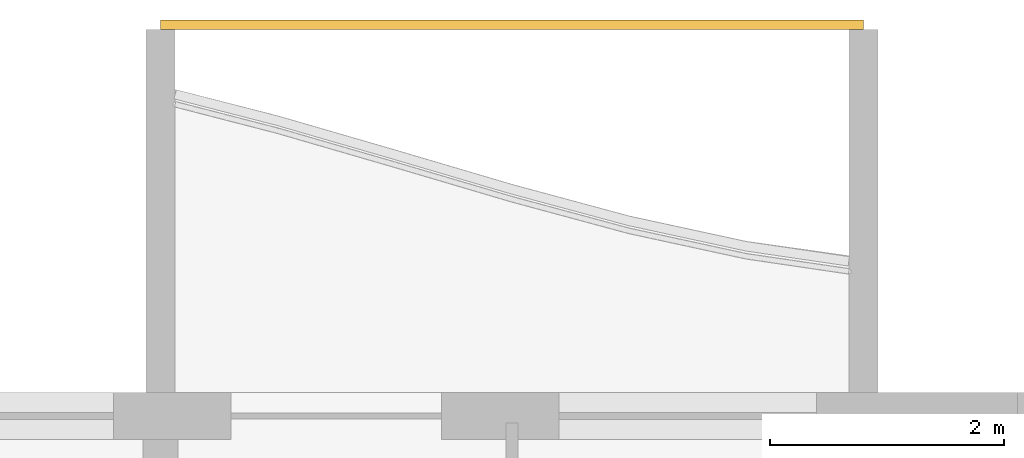
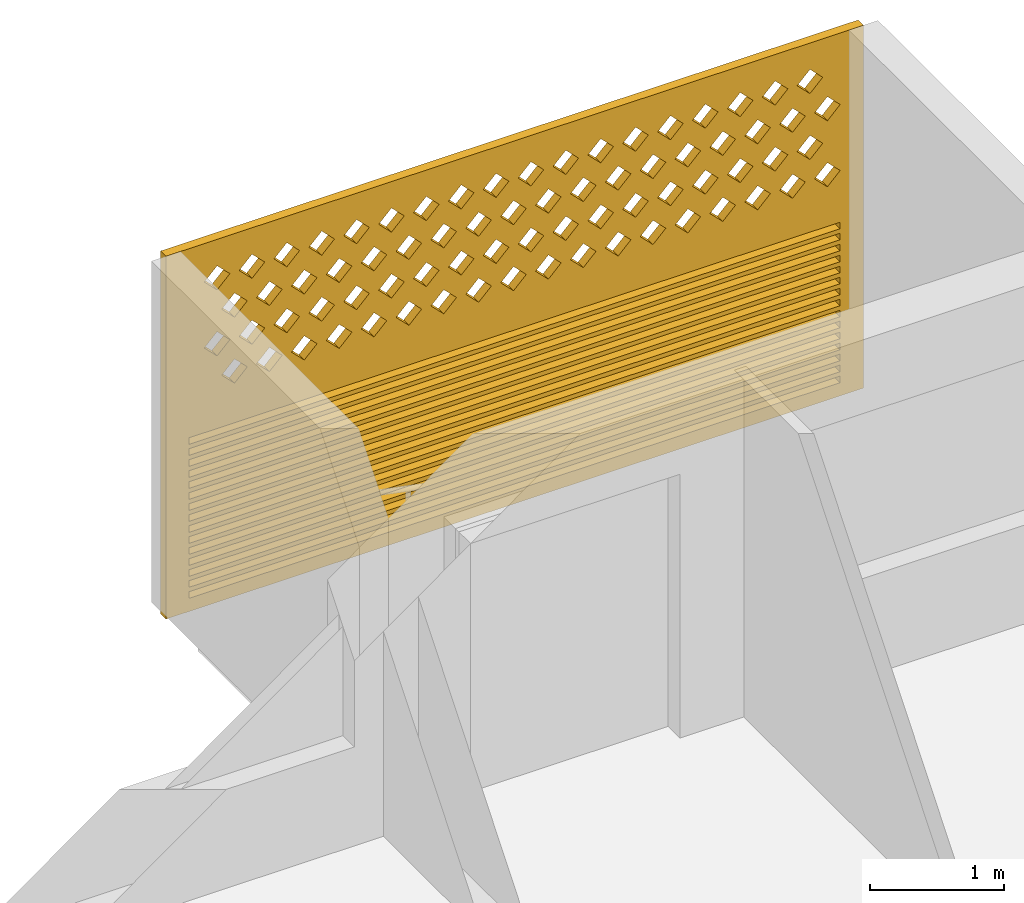
# One storey, part 32 of 32: 1 covering.
"""IFC4 building model written with IfcOpenShell, lengths in metres."""

from ifc_helpers import new_model, si_unit, direction, frame, origin, place, context, subcontext, project, spatial, polyline, outline, extrude, source, transform, mapped, material, material_profile, profile_set, type_object, element, save


model = new_model("IFC4")

# Units and contexts
model_context = context("Model", 3, precision=1e-05, world=origin(), true_north=direction((0.0, 1.0)))
body_context = subcontext(model_context, "Body", "Model", "MODEL_VIEW")
ifc_project = project(units=[si_unit("LENGTHUNIT", "METRE"), si_unit("AREAUNIT", "SQUARE_METRE"), si_unit("VOLUMEUNIT", "CUBIC_METRE"), si_unit("PLANEANGLEUNIT", "RADIAN"), si_unit("MASSUNIT", "GRAM", prefix="KILO")], contexts=[model_context])

# Site, building, storey
site_placement = place(None, origin())
site = spatial("IfcSite", under=ifc_project, at=site_placement, CompositionType="ELEMENT")
building_placement = place(site_placement, origin())
building = spatial("IfcBuilding", under=site, at=building_placement, Name="Poui Terraces", CompositionType="ELEMENT")
storey_placement = place(building_placement, frame((0.0, 0.0, 129.0)))
storey = spatial("IfcBuildingStorey", under=building, at=storey_placement, Name="L35", CompositionType="ELEMENT", Elevation=129.0)

# Covering
ifc_material = material(Name="Terracotta screen", Category="masonry")
ifc_material_profile = material_profile(ifc_material, outline(polyline([(-3.0, -1.64990234375), (3.0, -1.64990234375), (3.0, 1.64990234375), (-3.0, 1.64990234375), (-3.0, -1.64990234375)]), holes=[polyline([(-2.800048828125, 0.39990234375), (-2.68994140625, 0.2900390625), (-2.580078125, 0.39990234375), (-2.68994140625, 0.510009765625), (-2.800048828125, 0.39990234375)]), polyline([(-2.5, 0.39990234375), (-2.389892578125, 0.2900390625), (-2.280029296875, 0.39990234375), (-2.389892578125, 0.510009765625), (-2.5, 0.39990234375)]), polyline([(-2.199951171875, 0.39990234375), (-2.090087890625, 0.2900390625), (-1.97998046875, 0.39990234375), (-2.090087890625, 0.510009765625), (-2.199951171875, 0.39990234375)]), polyline([(-1.89990234375, 0.39990234375), (-1.7900390625, 0.2900390625), (-1.679931640625, 0.39990234375), (-1.7900390625, 0.510009765625), (-1.89990234375, 0.39990234375)]), polyline([(-1.60009765625, 0.39990234375), (-1.489990234375, 0.2900390625), (-1.3798828125, 0.39990234375), (-1.489990234375, 0.510009765625), (-1.60009765625, 0.39990234375)]), polyline([(-1.300048828125, 0.39990234375), (-1.18994140625, 0.2900390625), (-1.080078125, 0.39990234375), (-1.18994140625, 0.510009765625), (-1.300048828125, 0.39990234375)]), polyline([(-1.0, 0.39990234375), (-0.889892578125, 0.2900390625), (-0.780029296875, 0.39990234375), (-0.889892578125, 0.510009765625), (-1.0, 0.39990234375)]), polyline([(-0.699951171875, 0.39990234375), (-0.590087890625, 0.2900390625), (-0.47998046875, 0.39990234375), (-0.590087890625, 0.510009765625), (-0.699951171875, 0.39990234375)]), polyline([(-0.39990234375, 0.39990234375), (-0.2900390625, 0.2900390625), (-0.179931640625, 0.39990234375), (-0.2900390625, 0.510009765625), (-0.39990234375, 0.39990234375)]), polyline([(-0.10009765625, 0.39990234375), (0.010009765625, 0.2900390625), (0.1201171875, 0.39990234375), (0.010009765625, 0.510009765625), (-0.10009765625, 0.39990234375)]), polyline([(0.199951171875, 0.39990234375), (0.31005859375, 0.2900390625), (0.419921875, 0.39990234375), (0.31005859375, 0.510009765625), (0.199951171875, 0.39990234375)]), polyline([(0.5, 0.39990234375), (0.610107421875, 0.2900390625), (0.719970703125, 0.39990234375), (0.610107421875, 0.510009765625), (0.5, 0.39990234375)]), polyline([(0.800048828125, 0.39990234375), (0.909912109375, 0.2900390625), (1.02001953125, 0.39990234375), (0.909912109375, 0.510009765625), (0.800048828125, 0.39990234375)]), polyline([(1.10009765625, 0.39990234375), (1.2099609375, 0.2900390625), (1.320068359375, 0.39990234375), (1.2099609375, 0.510009765625), (1.10009765625, 0.39990234375)]), polyline([(1.39990234375, 0.39990234375), (1.510009765625, 0.2900390625), (1.6201171875, 0.39990234375), (1.510009765625, 0.510009765625), (1.39990234375, 0.39990234375)]), polyline([(1.699951171875, 0.39990234375), (1.81005859375, 0.2900390625), (1.919921875, 0.39990234375), (1.81005859375, 0.510009765625), (1.699951171875, 0.39990234375)]), polyline([(2.0, 0.39990234375), (2.110107421875, 0.2900390625), (2.219970703125, 0.39990234375), (2.110107421875, 0.510009765625), (2.0, 0.39990234375)]), polyline([(2.300048828125, 0.39990234375), (2.409912109375, 0.2900390625), (2.52001953125, 0.39990234375), (2.409912109375, 0.510009765625), (2.300048828125, 0.39990234375)]), polyline([(-2.64990234375, 0.699951171875), (-2.5400390625, 0.590087890625), (-2.429931640625, 0.699951171875), (-2.5400390625, 0.81005859375), (-2.64990234375, 0.699951171875)]), polyline([(-2.35009765625, 0.699951171875), (-2.239990234375, 0.590087890625), (-2.1298828125, 0.699951171875), (-2.239990234375, 0.81005859375), (-2.35009765625, 0.699951171875)]), polyline([(-2.050048828125, 0.699951171875), (-1.93994140625, 0.590087890625), (-1.830078125, 0.699951171875), (-1.93994140625, 0.81005859375), (-2.050048828125, 0.699951171875)]), polyline([(-1.75, 0.699951171875), (-1.639892578125, 0.590087890625), (-1.530029296875, 0.699951171875), (-1.639892578125, 0.81005859375), (-1.75, 0.699951171875)]), polyline([(-1.449951171875, 0.699951171875), (-1.340087890625, 0.590087890625), (-1.22998046875, 0.699951171875), (-1.340087890625, 0.81005859375), (-1.449951171875, 0.699951171875)]), polyline([(-1.14990234375, 0.699951171875), (-1.0400390625, 0.590087890625), (-0.929931640625, 0.699951171875), (-1.0400390625, 0.81005859375), (-1.14990234375, 0.699951171875)]), polyline([(-0.85009765625, 0.699951171875), (-0.739990234375, 0.590087890625), (-0.6298828125, 0.699951171875), (-0.739990234375, 0.81005859375), (-0.85009765625, 0.699951171875)]), polyline([(-0.550048828125, 0.699951171875), (-0.43994140625, 0.590087890625), (-0.330078125, 0.699951171875), (-0.43994140625, 0.81005859375), (-0.550048828125, 0.699951171875)]), polyline([(-0.25, 0.699951171875), (-0.139892578125, 0.590087890625), (-0.030029296875, 0.699951171875), (-0.139892578125, 0.81005859375), (-0.25, 0.699951171875)]), polyline([(0.050048828125, 0.699951171875), (0.159912109375, 0.590087890625), (0.27001953125, 0.699951171875), (0.159912109375, 0.81005859375), (0.050048828125, 0.699951171875)]), polyline([(0.35009765625, 0.699951171875), (0.4599609375, 0.590087890625), (0.570068359375, 0.699951171875), (0.4599609375, 0.81005859375), (0.35009765625, 0.699951171875)]), polyline([(0.64990234375, 0.699951171875), (0.760009765625, 0.590087890625), (0.8701171875, 0.699951171875), (0.760009765625, 0.81005859375), (0.64990234375, 0.699951171875)]), polyline([(0.949951171875, 0.699951171875), (1.06005859375, 0.590087890625), (1.169921875, 0.699951171875), (1.06005859375, 0.81005859375), (0.949951171875, 0.699951171875)]), polyline([(1.25, 0.699951171875), (1.360107421875, 0.590087890625), (1.469970703125, 0.699951171875), (1.360107421875, 0.81005859375), (1.25, 0.699951171875)]), polyline([(1.550048828125, 0.699951171875), (1.659912109375, 0.590087890625), (1.77001953125, 0.699951171875), (1.659912109375, 0.81005859375), (1.550048828125, 0.699951171875)]), polyline([(1.85009765625, 0.699951171875), (1.9599609375, 0.590087890625), (2.070068359375, 0.699951171875), (1.9599609375, 0.81005859375), (1.85009765625, 0.699951171875)]), polyline([(2.14990234375, 0.699951171875), (2.260009765625, 0.590087890625), (2.3701171875, 0.699951171875), (2.260009765625, 0.81005859375), (2.14990234375, 0.699951171875)]), polyline([(2.449951171875, 0.699951171875), (2.56005859375, 0.590087890625), (2.669921875, 0.699951171875), (2.56005859375, 0.81005859375), (2.449951171875, 0.699951171875)]), polyline([(-2.800048828125, 1.0), (-2.68994140625, 0.889892578125), (-2.580078125, 1.0), (-2.68994140625, 1.110107421875), (-2.800048828125, 1.0)]), polyline([(-2.5, 1.0), (-2.389892578125, 0.889892578125), (-2.280029296875, 1.0), (-2.389892578125, 1.110107421875), (-2.5, 1.0)]), polyline([(-2.199951171875, 1.0), (-2.090087890625, 0.889892578125), (-1.97998046875, 1.0), (-2.090087890625, 1.110107421875), (-2.199951171875, 1.0)]), polyline([(-1.89990234375, 1.0), (-1.7900390625, 0.889892578125), (-1.679931640625, 1.0), (-1.7900390625, 1.110107421875), (-1.89990234375, 1.0)]), polyline([(-1.60009765625, 1.0), (-1.489990234375, 0.889892578125), (-1.3798828125, 1.0), (-1.489990234375, 1.110107421875), (-1.60009765625, 1.0)]), polyline([(-1.300048828125, 1.0), (-1.18994140625, 0.889892578125), (-1.080078125, 1.0), (-1.18994140625, 1.110107421875), (-1.300048828125, 1.0)]), polyline([(-1.0, 1.0), (-0.889892578125, 0.889892578125), (-0.780029296875, 1.0), (-0.889892578125, 1.110107421875), (-1.0, 1.0)]), polyline([(-0.699951171875, 1.0), (-0.590087890625, 0.889892578125), (-0.47998046875, 1.0), (-0.590087890625, 1.110107421875), (-0.699951171875, 1.0)]), polyline([(-0.39990234375, 1.0), (-0.2900390625, 0.889892578125), (-0.179931640625, 1.0), (-0.2900390625, 1.110107421875), (-0.39990234375, 1.0)]), polyline([(-0.10009765625, 1.0), (0.010009765625, 0.889892578125), (0.1201171875, 1.0), (0.010009765625, 1.110107421875), (-0.10009765625, 1.0)]), polyline([(0.199951171875, 1.0), (0.31005859375, 0.889892578125), (0.419921875, 1.0), (0.31005859375, 1.110107421875), (0.199951171875, 1.0)]), polyline([(0.5, 1.0), (0.610107421875, 0.889892578125), (0.719970703125, 1.0), (0.610107421875, 1.110107421875), (0.5, 1.0)]), polyline([(0.800048828125, 1.0), (0.909912109375, 0.889892578125), (1.02001953125, 1.0), (0.909912109375, 1.110107421875), (0.800048828125, 1.0)]), polyline([(1.10009765625, 1.0), (1.2099609375, 0.889892578125), (1.320068359375, 1.0), (1.2099609375, 1.110107421875), (1.10009765625, 1.0)]), polyline([(1.39990234375, 1.0), (1.510009765625, 0.889892578125), (1.6201171875, 1.0), (1.510009765625, 1.110107421875), (1.39990234375, 1.0)]), polyline([(1.699951171875, 1.0), (1.81005859375, 0.889892578125), (1.919921875, 1.0), (1.81005859375, 1.110107421875), (1.699951171875, 1.0)]), polyline([(2.0, 1.0), (2.110107421875, 0.889892578125), (2.219970703125, 1.0), (2.110107421875, 1.110107421875), (2.0, 1.0)]), polyline([(2.300048828125, 1.0), (2.409912109375, 0.889892578125), (2.52001953125, 1.0), (2.409912109375, 1.110107421875), (2.300048828125, 1.0)]), polyline([(-2.64990234375, 1.300048828125), (-2.5400390625, 1.18994140625), (-2.429931640625, 1.300048828125), (-2.5400390625, 1.409912109375), (-2.64990234375, 1.300048828125)]), polyline([(-2.35009765625, 1.300048828125), (-2.239990234375, 1.18994140625), (-2.1298828125, 1.300048828125), (-2.239990234375, 1.409912109375), (-2.35009765625, 1.300048828125)]), polyline([(-2.050048828125, 1.300048828125), (-1.93994140625, 1.18994140625), (-1.830078125, 1.300048828125), (-1.93994140625, 1.409912109375), (-2.050048828125, 1.300048828125)]), polyline([(-1.75, 1.300048828125), (-1.639892578125, 1.18994140625), (-1.530029296875, 1.300048828125), (-1.639892578125, 1.409912109375), (-1.75, 1.300048828125)]), polyline([(-1.449951171875, 1.300048828125), (-1.340087890625, 1.18994140625), (-1.22998046875, 1.300048828125), (-1.340087890625, 1.409912109375), (-1.449951171875, 1.300048828125)]), polyline([(-1.14990234375, 1.300048828125), (-1.0400390625, 1.18994140625), (-0.929931640625, 1.300048828125), (-1.0400390625, 1.409912109375), (-1.14990234375, 1.300048828125)]), polyline([(-0.85009765625, 1.300048828125), (-0.739990234375, 1.18994140625), (-0.6298828125, 1.300048828125), (-0.739990234375, 1.409912109375), (-0.85009765625, 1.300048828125)]), polyline([(-0.550048828125, 1.300048828125), (-0.43994140625, 1.18994140625), (-0.330078125, 1.300048828125), (-0.43994140625, 1.409912109375), (-0.550048828125, 1.300048828125)]), polyline([(-0.25, 1.300048828125), (-0.139892578125, 1.18994140625), (-0.030029296875, 1.300048828125), (-0.139892578125, 1.409912109375), (-0.25, 1.300048828125)]), polyline([(0.050048828125, 1.300048828125), (0.159912109375, 1.18994140625), (0.27001953125, 1.300048828125), (0.159912109375, 1.409912109375), (0.050048828125, 1.300048828125)]), polyline([(0.35009765625, 1.300048828125), (0.4599609375, 1.18994140625), (0.570068359375, 1.300048828125), (0.4599609375, 1.409912109375), (0.35009765625, 1.300048828125)]), polyline([(0.64990234375, 1.300048828125), (0.760009765625, 1.18994140625), (0.8701171875, 1.300048828125), (0.760009765625, 1.409912109375), (0.64990234375, 1.300048828125)]), polyline([(0.949951171875, 1.300048828125), (1.06005859375, 1.18994140625), (1.169921875, 1.300048828125), (1.06005859375, 1.409912109375), (0.949951171875, 1.300048828125)]), polyline([(1.25, 1.300048828125), (1.360107421875, 1.18994140625), (1.469970703125, 1.300048828125), (1.360107421875, 1.409912109375), (1.25, 1.300048828125)]), polyline([(1.550048828125, 1.300048828125), (1.659912109375, 1.18994140625), (1.77001953125, 1.300048828125), (1.659912109375, 1.409912109375), (1.550048828125, 1.300048828125)]), polyline([(1.85009765625, 1.300048828125), (1.9599609375, 1.18994140625), (2.070068359375, 1.300048828125), (1.9599609375, 1.409912109375), (1.85009765625, 1.300048828125)]), polyline([(2.14990234375, 1.300048828125), (2.260009765625, 1.18994140625), (2.3701171875, 1.300048828125), (2.260009765625, 1.409912109375), (2.14990234375, 1.300048828125)]), polyline([(2.449951171875, 1.300048828125), (2.56005859375, 1.18994140625), (2.669921875, 1.300048828125), (2.56005859375, 1.409912109375), (2.449951171875, 1.300048828125)]), polyline([(-2.800048828125, -1.530029296875), (2.800048828125, -1.530029296875), (2.800048828125, -1.469970703125), (-2.800048828125, -1.469970703125), (-2.800048828125, -1.530029296875)]), polyline([(-2.800048828125, -1.429931640625), (2.800048828125, -1.429931640625), (2.800048828125, -1.3701171875), (-2.800048828125, -1.3701171875), (-2.800048828125, -1.429931640625)]), polyline([(-2.800048828125, -1.330078125), (2.800048828125, -1.330078125), (2.800048828125, -1.27001953125), (-2.800048828125, -1.27001953125), (-2.800048828125, -1.330078125)]), polyline([(-2.800048828125, -1.22998046875), (2.800048828125, -1.22998046875), (2.800048828125, -1.169921875), (-2.800048828125, -1.169921875), (-2.800048828125, -1.22998046875)]), polyline([(-2.800048828125, -1.1298828125), (2.800048828125, -1.1298828125), (2.800048828125, -1.070068359375), (-2.800048828125, -1.070068359375), (-2.800048828125, -1.1298828125)]), polyline([(-2.800048828125, -1.030029296875), (2.800048828125, -1.030029296875), (2.800048828125, -0.969970703125), (-2.800048828125, -0.969970703125), (-2.800048828125, -1.030029296875)]), polyline([(-2.800048828125, -0.929931640625), (2.800048828125, -0.929931640625), (2.800048828125, -0.8701171875), (-2.800048828125, -0.8701171875), (-2.800048828125, -0.929931640625)]), polyline([(-2.800048828125, -0.830078125), (2.800048828125, -0.830078125), (2.800048828125, -0.77001953125), (-2.800048828125, -0.77001953125), (-2.800048828125, -0.830078125)]), polyline([(-2.800048828125, -0.72998046875), (2.800048828125, -0.72998046875), (2.800048828125, -0.669921875), (-2.800048828125, -0.669921875), (-2.800048828125, -0.72998046875)]), polyline([(-2.800048828125, -0.6298828125), (2.800048828125, -0.6298828125), (2.800048828125, -0.570068359375), (-2.800048828125, -0.570068359375), (-2.800048828125, -0.6298828125)]), polyline([(-2.800048828125, -0.530029296875), (2.800048828125, -0.530029296875), (2.800048828125, -0.469970703125), (-2.800048828125, -0.469970703125), (-2.800048828125, -0.530029296875)]), polyline([(-2.800048828125, -0.429931640625), (2.800048828125, -0.429931640625), (2.800048828125, -0.3701171875), (-2.800048828125, -0.3701171875), (-2.800048828125, -0.429931640625)]), polyline([(-2.800048828125, -0.330078125), (2.800048828125, -0.330078125), (2.800048828125, -0.27001953125), (-2.800048828125, -0.27001953125), (-2.800048828125, -0.330078125)]), polyline([(-2.800048828125, -0.22998046875), (2.800048828125, -0.22998046875), (2.800048828125, -0.169921875), (-2.800048828125, -0.169921875), (-2.800048828125, -0.22998046875)]), polyline([(-2.800048828125, -0.1298828125), (2.800048828125, -0.1298828125), (2.800048828125, -0.070068359375), (-2.800048828125, -0.070068359375), (-2.800048828125, -0.1298828125)])]), Name="TERRACOTTA SCREEN AND JALOUSIE LOUVRE 6000X3300")
ifc_profile_set = profile_set([ifc_material_profile], Name="Terracotta screen")
covering_type = type_object("IfcCoveringType", Name="TERRACOTTA SCREEN AND JALOUSIE LOUVRE 6000X3300", PredefinedType="CLADDING", material=ifc_profile_set)
shared_shape = source(origin(), body_context, "Body", "SweptSolid", [
    extrude(outline(polyline([(-3.0, -1.64990234375), (3.0, -1.64990234375), (3.0, 1.64990234375), (-3.0, 1.64990234375), (-3.0, -1.64990234375)]), holes=[polyline([(-2.800048828125, 0.39990234375), (-2.68994140625, 0.2900390625), (-2.580078125, 0.39990234375), (-2.68994140625, 0.510009765625), (-2.800048828125, 0.39990234375)]), polyline([(-2.5, 0.39990234375), (-2.389892578125, 0.2900390625), (-2.280029296875, 0.39990234375), (-2.389892578125, 0.510009765625), (-2.5, 0.39990234375)]), polyline([(-2.199951171875, 0.39990234375), (-2.090087890625, 0.2900390625), (-1.97998046875, 0.39990234375), (-2.090087890625, 0.510009765625), (-2.199951171875, 0.39990234375)]), polyline([(-1.89990234375, 0.39990234375), (-1.7900390625, 0.2900390625), (-1.679931640625, 0.39990234375), (-1.7900390625, 0.510009765625), (-1.89990234375, 0.39990234375)]), polyline([(-1.60009765625, 0.39990234375), (-1.489990234375, 0.2900390625), (-1.3798828125, 0.39990234375), (-1.489990234375, 0.510009765625), (-1.60009765625, 0.39990234375)]), polyline([(-1.300048828125, 0.39990234375), (-1.18994140625, 0.2900390625), (-1.080078125, 0.39990234375), (-1.18994140625, 0.510009765625), (-1.300048828125, 0.39990234375)]), polyline([(-1.0, 0.39990234375), (-0.889892578125, 0.2900390625), (-0.780029296875, 0.39990234375), (-0.889892578125, 0.510009765625), (-1.0, 0.39990234375)]), polyline([(-0.699951171875, 0.39990234375), (-0.590087890625, 0.2900390625), (-0.47998046875, 0.39990234375), (-0.590087890625, 0.510009765625), (-0.699951171875, 0.39990234375)]), polyline([(-0.39990234375, 0.39990234375), (-0.2900390625, 0.2900390625), (-0.179931640625, 0.39990234375), (-0.2900390625, 0.510009765625), (-0.39990234375, 0.39990234375)]), polyline([(-0.10009765625, 0.39990234375), (0.010009765625, 0.2900390625), (0.1201171875, 0.39990234375), (0.010009765625, 0.510009765625), (-0.10009765625, 0.39990234375)]), polyline([(0.199951171875, 0.39990234375), (0.31005859375, 0.2900390625), (0.419921875, 0.39990234375), (0.31005859375, 0.510009765625), (0.199951171875, 0.39990234375)]), polyline([(0.5, 0.39990234375), (0.610107421875, 0.2900390625), (0.719970703125, 0.39990234375), (0.610107421875, 0.510009765625), (0.5, 0.39990234375)]), polyline([(0.800048828125, 0.39990234375), (0.909912109375, 0.2900390625), (1.02001953125, 0.39990234375), (0.909912109375, 0.510009765625), (0.800048828125, 0.39990234375)]), polyline([(1.10009765625, 0.39990234375), (1.2099609375, 0.2900390625), (1.320068359375, 0.39990234375), (1.2099609375, 0.510009765625), (1.10009765625, 0.39990234375)]), polyline([(1.39990234375, 0.39990234375), (1.510009765625, 0.2900390625), (1.6201171875, 0.39990234375), (1.510009765625, 0.510009765625), (1.39990234375, 0.39990234375)]), polyline([(1.699951171875, 0.39990234375), (1.81005859375, 0.2900390625), (1.919921875, 0.39990234375), (1.81005859375, 0.510009765625), (1.699951171875, 0.39990234375)]), polyline([(2.0, 0.39990234375), (2.110107421875, 0.2900390625), (2.219970703125, 0.39990234375), (2.110107421875, 0.510009765625), (2.0, 0.39990234375)]), polyline([(2.300048828125, 0.39990234375), (2.409912109375, 0.2900390625), (2.52001953125, 0.39990234375), (2.409912109375, 0.510009765625), (2.300048828125, 0.39990234375)]), polyline([(-2.64990234375, 0.699951171875), (-2.5400390625, 0.590087890625), (-2.429931640625, 0.699951171875), (-2.5400390625, 0.81005859375), (-2.64990234375, 0.699951171875)]), polyline([(-2.35009765625, 0.699951171875), (-2.239990234375, 0.590087890625), (-2.1298828125, 0.699951171875), (-2.239990234375, 0.81005859375), (-2.35009765625, 0.699951171875)]), polyline([(-2.050048828125, 0.699951171875), (-1.93994140625, 0.590087890625), (-1.830078125, 0.699951171875), (-1.93994140625, 0.81005859375), (-2.050048828125, 0.699951171875)]), polyline([(-1.75, 0.699951171875), (-1.639892578125, 0.590087890625), (-1.530029296875, 0.699951171875), (-1.639892578125, 0.81005859375), (-1.75, 0.699951171875)]), polyline([(-1.449951171875, 0.699951171875), (-1.340087890625, 0.590087890625), (-1.22998046875, 0.699951171875), (-1.340087890625, 0.81005859375), (-1.449951171875, 0.699951171875)]), polyline([(-1.14990234375, 0.699951171875), (-1.0400390625, 0.590087890625), (-0.929931640625, 0.699951171875), (-1.0400390625, 0.81005859375), (-1.14990234375, 0.699951171875)]), polyline([(-0.85009765625, 0.699951171875), (-0.739990234375, 0.590087890625), (-0.6298828125, 0.699951171875), (-0.739990234375, 0.81005859375), (-0.85009765625, 0.699951171875)]), polyline([(-0.550048828125, 0.699951171875), (-0.43994140625, 0.590087890625), (-0.330078125, 0.699951171875), (-0.43994140625, 0.81005859375), (-0.550048828125, 0.699951171875)]), polyline([(-0.25, 0.699951171875), (-0.139892578125, 0.590087890625), (-0.030029296875, 0.699951171875), (-0.139892578125, 0.81005859375), (-0.25, 0.699951171875)]), polyline([(0.050048828125, 0.699951171875), (0.159912109375, 0.590087890625), (0.27001953125, 0.699951171875), (0.159912109375, 0.81005859375), (0.050048828125, 0.699951171875)]), polyline([(0.35009765625, 0.699951171875), (0.4599609375, 0.590087890625), (0.570068359375, 0.699951171875), (0.4599609375, 0.81005859375), (0.35009765625, 0.699951171875)]), polyline([(0.64990234375, 0.699951171875), (0.760009765625, 0.590087890625), (0.8701171875, 0.699951171875), (0.760009765625, 0.81005859375), (0.64990234375, 0.699951171875)]), polyline([(0.949951171875, 0.699951171875), (1.06005859375, 0.590087890625), (1.169921875, 0.699951171875), (1.06005859375, 0.81005859375), (0.949951171875, 0.699951171875)]), polyline([(1.25, 0.699951171875), (1.360107421875, 0.590087890625), (1.469970703125, 0.699951171875), (1.360107421875, 0.81005859375), (1.25, 0.699951171875)]), polyline([(1.550048828125, 0.699951171875), (1.659912109375, 0.590087890625), (1.77001953125, 0.699951171875), (1.659912109375, 0.81005859375), (1.550048828125, 0.699951171875)]), polyline([(1.85009765625, 0.699951171875), (1.9599609375, 0.590087890625), (2.070068359375, 0.699951171875), (1.9599609375, 0.81005859375), (1.85009765625, 0.699951171875)]), polyline([(2.14990234375, 0.699951171875), (2.260009765625, 0.590087890625), (2.3701171875, 0.699951171875), (2.260009765625, 0.81005859375), (2.14990234375, 0.699951171875)]), polyline([(2.449951171875, 0.699951171875), (2.56005859375, 0.590087890625), (2.669921875, 0.699951171875), (2.56005859375, 0.81005859375), (2.449951171875, 0.699951171875)]), polyline([(-2.800048828125, 1.0), (-2.68994140625, 0.889892578125), (-2.580078125, 1.0), (-2.68994140625, 1.110107421875), (-2.800048828125, 1.0)]), polyline([(-2.5, 1.0), (-2.389892578125, 0.889892578125), (-2.280029296875, 1.0), (-2.389892578125, 1.110107421875), (-2.5, 1.0)]), polyline([(-2.199951171875, 1.0), (-2.090087890625, 0.889892578125), (-1.97998046875, 1.0), (-2.090087890625, 1.110107421875), (-2.199951171875, 1.0)]), polyline([(-1.89990234375, 1.0), (-1.7900390625, 0.889892578125), (-1.679931640625, 1.0), (-1.7900390625, 1.110107421875), (-1.89990234375, 1.0)]), polyline([(-1.60009765625, 1.0), (-1.489990234375, 0.889892578125), (-1.3798828125, 1.0), (-1.489990234375, 1.110107421875), (-1.60009765625, 1.0)]), polyline([(-1.300048828125, 1.0), (-1.18994140625, 0.889892578125), (-1.080078125, 1.0), (-1.18994140625, 1.110107421875), (-1.300048828125, 1.0)]), polyline([(-1.0, 1.0), (-0.889892578125, 0.889892578125), (-0.780029296875, 1.0), (-0.889892578125, 1.110107421875), (-1.0, 1.0)]), polyline([(-0.699951171875, 1.0), (-0.590087890625, 0.889892578125), (-0.47998046875, 1.0), (-0.590087890625, 1.110107421875), (-0.699951171875, 1.0)]), polyline([(-0.39990234375, 1.0), (-0.2900390625, 0.889892578125), (-0.179931640625, 1.0), (-0.2900390625, 1.110107421875), (-0.39990234375, 1.0)]), polyline([(-0.10009765625, 1.0), (0.010009765625, 0.889892578125), (0.1201171875, 1.0), (0.010009765625, 1.110107421875), (-0.10009765625, 1.0)]), polyline([(0.199951171875, 1.0), (0.31005859375, 0.889892578125), (0.419921875, 1.0), (0.31005859375, 1.110107421875), (0.199951171875, 1.0)]), polyline([(0.5, 1.0), (0.610107421875, 0.889892578125), (0.719970703125, 1.0), (0.610107421875, 1.110107421875), (0.5, 1.0)]), polyline([(0.800048828125, 1.0), (0.909912109375, 0.889892578125), (1.02001953125, 1.0), (0.909912109375, 1.110107421875), (0.800048828125, 1.0)]), polyline([(1.10009765625, 1.0), (1.2099609375, 0.889892578125), (1.320068359375, 1.0), (1.2099609375, 1.110107421875), (1.10009765625, 1.0)]), polyline([(1.39990234375, 1.0), (1.510009765625, 0.889892578125), (1.6201171875, 1.0), (1.510009765625, 1.110107421875), (1.39990234375, 1.0)]), polyline([(1.699951171875, 1.0), (1.81005859375, 0.889892578125), (1.919921875, 1.0), (1.81005859375, 1.110107421875), (1.699951171875, 1.0)]), polyline([(2.0, 1.0), (2.110107421875, 0.889892578125), (2.219970703125, 1.0), (2.110107421875, 1.110107421875), (2.0, 1.0)]), polyline([(2.300048828125, 1.0), (2.409912109375, 0.889892578125), (2.52001953125, 1.0), (2.409912109375, 1.110107421875), (2.300048828125, 1.0)]), polyline([(-2.64990234375, 1.300048828125), (-2.5400390625, 1.18994140625), (-2.429931640625, 1.300048828125), (-2.5400390625, 1.409912109375), (-2.64990234375, 1.300048828125)]), polyline([(-2.35009765625, 1.300048828125), (-2.239990234375, 1.18994140625), (-2.1298828125, 1.300048828125), (-2.239990234375, 1.409912109375), (-2.35009765625, 1.300048828125)]), polyline([(-2.050048828125, 1.300048828125), (-1.93994140625, 1.18994140625), (-1.830078125, 1.300048828125), (-1.93994140625, 1.409912109375), (-2.050048828125, 1.300048828125)]), polyline([(-1.75, 1.300048828125), (-1.639892578125, 1.18994140625), (-1.530029296875, 1.300048828125), (-1.639892578125, 1.409912109375), (-1.75, 1.300048828125)]), polyline([(-1.449951171875, 1.300048828125), (-1.340087890625, 1.18994140625), (-1.22998046875, 1.300048828125), (-1.340087890625, 1.409912109375), (-1.449951171875, 1.300048828125)]), polyline([(-1.14990234375, 1.300048828125), (-1.0400390625, 1.18994140625), (-0.929931640625, 1.300048828125), (-1.0400390625, 1.409912109375), (-1.14990234375, 1.300048828125)]), polyline([(-0.85009765625, 1.300048828125), (-0.739990234375, 1.18994140625), (-0.6298828125, 1.300048828125), (-0.739990234375, 1.409912109375), (-0.85009765625, 1.300048828125)]), polyline([(-0.550048828125, 1.300048828125), (-0.43994140625, 1.18994140625), (-0.330078125, 1.300048828125), (-0.43994140625, 1.409912109375), (-0.550048828125, 1.300048828125)]), polyline([(-0.25, 1.300048828125), (-0.139892578125, 1.18994140625), (-0.030029296875, 1.300048828125), (-0.139892578125, 1.409912109375), (-0.25, 1.300048828125)]), polyline([(0.050048828125, 1.300048828125), (0.159912109375, 1.18994140625), (0.27001953125, 1.300048828125), (0.159912109375, 1.409912109375), (0.050048828125, 1.300048828125)]), polyline([(0.35009765625, 1.300048828125), (0.4599609375, 1.18994140625), (0.570068359375, 1.300048828125), (0.4599609375, 1.409912109375), (0.35009765625, 1.300048828125)]), polyline([(0.64990234375, 1.300048828125), (0.760009765625, 1.18994140625), (0.8701171875, 1.300048828125), (0.760009765625, 1.409912109375), (0.64990234375, 1.300048828125)]), polyline([(0.949951171875, 1.300048828125), (1.06005859375, 1.18994140625), (1.169921875, 1.300048828125), (1.06005859375, 1.409912109375), (0.949951171875, 1.300048828125)]), polyline([(1.25, 1.300048828125), (1.360107421875, 1.18994140625), (1.469970703125, 1.300048828125), (1.360107421875, 1.409912109375), (1.25, 1.300048828125)]), polyline([(1.550048828125, 1.300048828125), (1.659912109375, 1.18994140625), (1.77001953125, 1.300048828125), (1.659912109375, 1.409912109375), (1.550048828125, 1.300048828125)]), polyline([(1.85009765625, 1.300048828125), (1.9599609375, 1.18994140625), (2.070068359375, 1.300048828125), (1.9599609375, 1.409912109375), (1.85009765625, 1.300048828125)]), polyline([(2.14990234375, 1.300048828125), (2.260009765625, 1.18994140625), (2.3701171875, 1.300048828125), (2.260009765625, 1.409912109375), (2.14990234375, 1.300048828125)]), polyline([(2.449951171875, 1.300048828125), (2.56005859375, 1.18994140625), (2.669921875, 1.300048828125), (2.56005859375, 1.409912109375), (2.449951171875, 1.300048828125)]), polyline([(-2.800048828125, -1.530029296875), (2.800048828125, -1.530029296875), (2.800048828125, -1.469970703125), (-2.800048828125, -1.469970703125), (-2.800048828125, -1.530029296875)]), polyline([(-2.800048828125, -1.429931640625), (2.800048828125, -1.429931640625), (2.800048828125, -1.3701171875), (-2.800048828125, -1.3701171875), (-2.800048828125, -1.429931640625)]), polyline([(-2.800048828125, -1.330078125), (2.800048828125, -1.330078125), (2.800048828125, -1.27001953125), (-2.800048828125, -1.27001953125), (-2.800048828125, -1.330078125)]), polyline([(-2.800048828125, -1.22998046875), (2.800048828125, -1.22998046875), (2.800048828125, -1.169921875), (-2.800048828125, -1.169921875), (-2.800048828125, -1.22998046875)]), polyline([(-2.800048828125, -1.1298828125), (2.800048828125, -1.1298828125), (2.800048828125, -1.070068359375), (-2.800048828125, -1.070068359375), (-2.800048828125, -1.1298828125)]), polyline([(-2.800048828125, -1.030029296875), (2.800048828125, -1.030029296875), (2.800048828125, -0.969970703125), (-2.800048828125, -0.969970703125), (-2.800048828125, -1.030029296875)]), polyline([(-2.800048828125, -0.929931640625), (2.800048828125, -0.929931640625), (2.800048828125, -0.8701171875), (-2.800048828125, -0.8701171875), (-2.800048828125, -0.929931640625)]), polyline([(-2.800048828125, -0.830078125), (2.800048828125, -0.830078125), (2.800048828125, -0.77001953125), (-2.800048828125, -0.77001953125), (-2.800048828125, -0.830078125)]), polyline([(-2.800048828125, -0.72998046875), (2.800048828125, -0.72998046875), (2.800048828125, -0.669921875), (-2.800048828125, -0.669921875), (-2.800048828125, -0.72998046875)]), polyline([(-2.800048828125, -0.6298828125), (2.800048828125, -0.6298828125), (2.800048828125, -0.570068359375), (-2.800048828125, -0.570068359375), (-2.800048828125, -0.6298828125)]), polyline([(-2.800048828125, -0.530029296875), (2.800048828125, -0.530029296875), (2.800048828125, -0.469970703125), (-2.800048828125, -0.469970703125), (-2.800048828125, -0.530029296875)]), polyline([(-2.800048828125, -0.429931640625), (2.800048828125, -0.429931640625), (2.800048828125, -0.3701171875), (-2.800048828125, -0.3701171875), (-2.800048828125, -0.429931640625)]), polyline([(-2.800048828125, -0.330078125), (2.800048828125, -0.330078125), (2.800048828125, -0.27001953125), (-2.800048828125, -0.27001953125), (-2.800048828125, -0.330078125)]), polyline([(-2.800048828125, -0.22998046875), (2.800048828125, -0.22998046875), (2.800048828125, -0.169921875), (-2.800048828125, -0.169921875), (-2.800048828125, -0.22998046875)]), polyline([(-2.800048828125, -0.1298828125), (2.800048828125, -0.1298828125), (2.800048828125, -0.070068359375), (-2.800048828125, -0.070068359375), (-2.800048828125, -0.1298828125)])]), origin(), (0.0, 0.0, 1.0), 0.080078125),
])
covering_placement = place(storey_placement, frame((81.0, 45.699951171875, 1.449951171875), z_axis=(0.0, 1.0, 0.0), x_axis=(-1.0, 0.0, 0.0)))
element("IfcCovering", 1, at=covering_placement, inside=storey, type_object=covering_type, Name="SOLAR SCREEN AND JALOUSIE LOUVRE", PredefinedType="CLADDING", context=body_context, shape_type="MappedRepresentation", body=[
    mapped(shared_shape, transform((0.0, 0.0, 0.0))),
])

save(model, "model.ifc")
